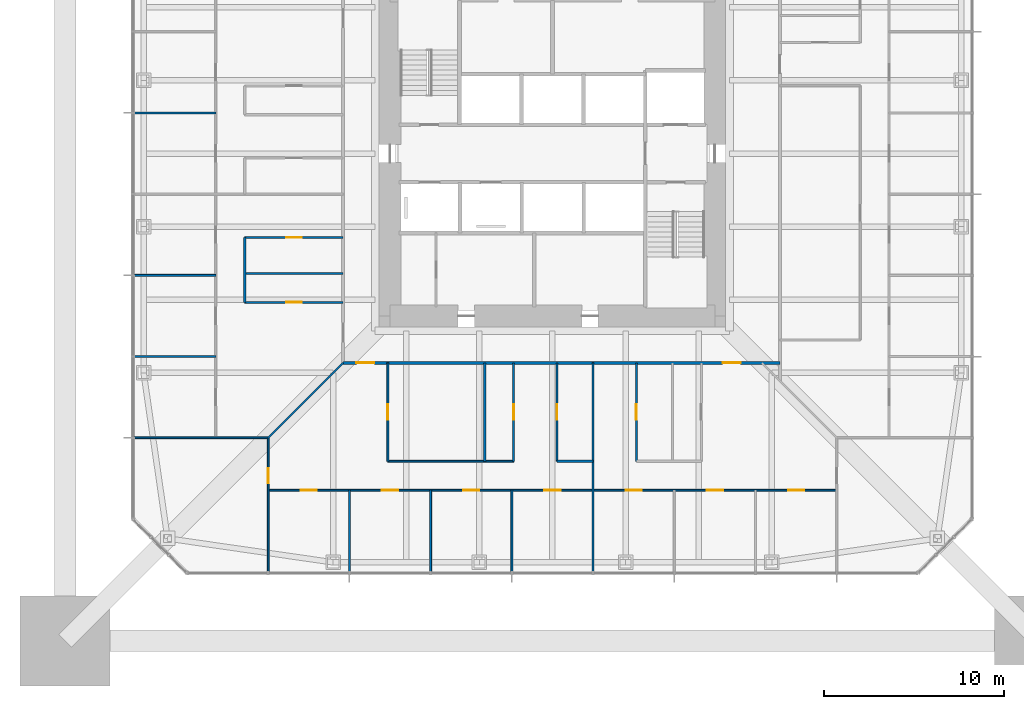
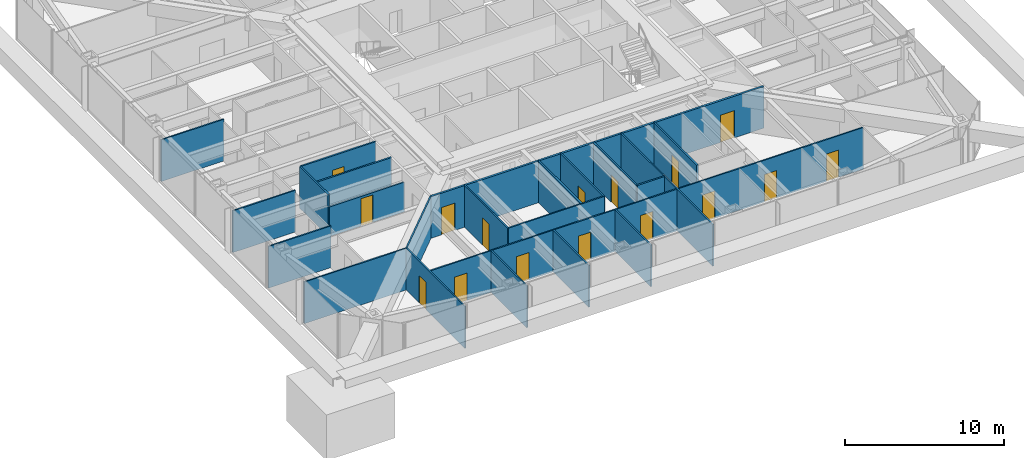
# One storey, part 20 of 32: 23 walls, 16 doors, 16 openings.
"""IFC4 building model written with IfcOpenShell, lengths in metres."""

from ifc_helpers import new_model, si_unit, direction, frame, frame_2d, origin, place, context, subcontext, project, spatial, rectangle, extrude, material, layer, layer_set, type_object, element, fill, save


model = new_model("IFC4")

# Units and contexts
model_context = context("Model", 3, precision=1e-05, world=origin(), true_north=direction((0.0, 1.0)))
body_context = subcontext(model_context, "Body", "Model", "MODEL_VIEW")
ifc_project = project(units=[si_unit("LENGTHUNIT", "METRE"), si_unit("AREAUNIT", "SQUARE_METRE"), si_unit("VOLUMEUNIT", "CUBIC_METRE"), si_unit("PLANEANGLEUNIT", "RADIAN"), si_unit("MASSUNIT", "GRAM", prefix="KILO")], contexts=[model_context])

# Site, building, storey
site_placement = place(None, origin())
site = spatial("IfcSite", under=ifc_project, at=site_placement, CompositionType="ELEMENT")
building_placement = place(site_placement, origin())
building = spatial("IfcBuilding", under=site, at=building_placement, Name="Iwan Alto Co-Living Towers", CompositionType="ELEMENT")
storey_placement = place(building_placement, frame((0.0, 0.0, 71.0)))
storey = spatial("IfcBuildingStorey", under=building, at=storey_placement, Name="L19", CompositionType="ELEMENT", Elevation=71.0)

# Wall, openings, doors
ifc_material_1 = material(Name="Gypsum board")
ifc_layer_1 = layer(ifc_material_1, 0.02490234375, Name="Board", Category="Finish")
ifc_material_2 = material(Name="Steel ASTM A1003 ST33H cold-formed studs", Category="steel")
ifc_layer_2 = layer(ifc_material_2, 0.10009765625, Name="Studs", Category="Framing")
ifc_layer_3 = layer(ifc_material_1, 0.02490234375, Name="Board", Category="Finish")
ifc_layer_set_1 = layer_set([ifc_layer_1, ifc_layer_2, ifc_layer_3], Name="CORRIDOR WALL 150")
wall_type_1 = type_object("IfcWallType", Name="CORRIDOR WALL 150", PredefinedType="PARTITIONING", material=ifc_layer_set_1)
wall_1_placement = place(storey_placement, frame((-11.60009765625, -11.60009765625, 0.0), z_axis=(0.0, 0.0, 1.0), x_axis=(1.0, 0.0, 0.0)))
wall_1 = element("IfcWall", 1, at=wall_1_placement, inside=storey, type_object=wall_type_1, Name="Partition L19", PredefinedType="PARTITIONING", context=body_context, shape_type="SweptSolid", body=[
    extrude(rectangle(XDim=24.2001953125, YDim=0.14990234375, at=frame_2d((12.10009765625, 0.0))), origin(), (0.0, 0.0, 1.0), 3.199951171875),
])
opening_1_placement = place(wall_1_placement, frame((0.739990234375, 0.0, 0.0)))
opening_1 = element("IfcOpeningElement", 2, at=opening_1_placement, cuts=wall_1, Name="Opening D3", PredefinedType="OPENING", context=body_context, shape_type="SweptSolid", body=[
    extrude(rectangle(XDim=1.0, YDim=2.10009765625, at=frame_2d((0.5, 1.050048828125))), frame((0.0, 0.0849609375, 0.0), z_axis=(0.0, -1.0, 0.0), x_axis=(1.0, 0.0, 0.0)), (0.0, 0.0, 1.0), 0.169921875),
])
opening_2_placement = place(wall_1_placement, frame((21.02490234375, 0.0, 0.0)))
opening_2 = element("IfcOpeningElement", 3, at=opening_2_placement, cuts=wall_1, Name="Opening D3", PredefinedType="OPENING", context=body_context, shape_type="SweptSolid", body=[
    extrude(rectangle(XDim=1.0, YDim=2.10009765625, at=frame_2d((0.5, 1.050048828125))), frame((0.0, 0.0849609375, 0.0), z_axis=(0.0, -1.0, 0.0), x_axis=(1.0, 0.0, 0.0)), (0.0, 0.0, 1.0), 0.169921875),
])
ifc_material_3 = material(Name="Steel frame with timber leaf", Category="steel")
door_type_1 = type_object("IfcDoorType", Name="FLAT ENTRANCE DOOR FD30S 1000X2100", OperationType="SINGLE_SWING_LEFT", PredefinedType="DOOR", material=ifc_material_3)
door_1_placement = place(opening_1_placement, frame((1.0, 0.0, 0.0), z_axis=(0.0, 0.0, 1.0), x_axis=(-1.0, 0.0, 0.0)))
door_1 = element("IfcDoor", 4, at=door_1_placement, inside=storey, type_object=door_type_1, Name="Cluster lounge door L19", OperationType="SINGLE_SWING_LEFT", OverallHeight=2.10009765625, OverallWidth=1.0, PredefinedType="DOOR", context=body_context, shape_type="SweptSolid", body=[
    extrude(rectangle(XDim=1.0, YDim=2.10009765625, at=frame_2d((0.5, 1.050048828125))), frame((0.0, 0.02490234375, 0.0), z_axis=(0.0, -1.0, 0.0), x_axis=(1.0, 0.0, 0.0)), (0.0, 0.0, 1.0), 0.050048828125),
])
fill(opening_1, door_1)
door_2_placement = place(opening_2_placement, frame((1.0, 0.0, 0.0), z_axis=(0.0, 0.0, 1.0), x_axis=(-1.0, 0.0, 0.0)))
door_2 = element("IfcDoor", 5, at=door_2_placement, inside=storey, type_object=door_type_1, Name="Cluster lounge door L19", OperationType="SINGLE_SWING_RIGHT", OverallHeight=2.10009765625, OverallWidth=1.0, PredefinedType="DOOR", context=body_context, shape_type="SweptSolid", body=[
    extrude(rectangle(XDim=1.0, YDim=2.10009765625, at=frame_2d((0.5, 1.050048828125))), frame((0.0, 0.02490234375, 0.0), z_axis=(0.0, -1.0, 0.0), x_axis=(1.0, 0.0, 0.0)), (0.0, 0.0, 1.0), 0.050048828125),
])
fill(opening_2, door_2)

ifc_layer_4 = layer(ifc_material_1, 0.012451171875, Name="Board", Category="Finish")
ifc_layer_5 = layer(ifc_material_2, 0.074951171875, Name="Studs", Category="Framing")
ifc_layer_6 = layer(ifc_material_1, 0.012451171875, Name="Board", Category="Finish")
ifc_layer_set_2 = layer_set([ifc_layer_4, ifc_layer_5, ifc_layer_6], Name="PARTITION 100")
wall_type_2 = type_object("IfcWallType", Name="PARTITION 100", PredefinedType="PARTITIONING", material=ifc_layer_set_2)
wall_2_placement = place(storey_placement, frame((-15.75, -18.64990234375, 0.0), z_axis=(0.0, 0.0, 1.0), x_axis=(1.0, 0.0, 0.0)))
wall_2 = element("IfcWall", 6, at=wall_2_placement, inside=storey, type_object=wall_type_2, Name="Partition L19", PredefinedType="PARTITIONING", context=body_context, shape_type="SweptSolid", body=[
    extrude(rectangle(XDim=31.5, YDim=0.10009765625, at=frame_2d((15.75, 0.0))), origin(), (0.0, 0.0, 1.0), 3.199951171875),
])
opening_3_placement = place(wall_2_placement, frame((1.800048828125, 0.0, 0.0)))
opening_3 = element("IfcOpeningElement", 7, at=opening_3_placement, cuts=wall_2, Name="Opening D1", PredefinedType="OPENING", context=body_context, shape_type="SweptSolid", body=[
    extrude(rectangle(XDim=0.89990234375, YDim=2.10009765625, at=frame_2d((0.449951171875, 1.050048828125))), frame((0.0, 0.06005859375, 0.0), z_axis=(0.0, -1.0, 0.0), x_axis=(1.0, 0.0, 0.0)), (0.0, 0.0, 1.0), 0.1201171875),
])
opening_4_placement = place(wall_2_placement, frame((6.300048828125, 0.0, 0.0)))
opening_4 = element("IfcOpeningElement", 8, at=opening_4_placement, cuts=wall_2, Name="Opening D1", PredefinedType="OPENING", context=body_context, shape_type="SweptSolid", body=[
    extrude(rectangle(XDim=0.89990234375, YDim=2.10009765625, at=frame_2d((0.449951171875, 1.050048828125))), frame((0.0, 0.06005859375, 0.0), z_axis=(0.0, -1.0, 0.0), x_axis=(1.0, 0.0, 0.0)), (0.0, 0.0, 1.0), 0.1201171875),
])
opening_5_placement = place(wall_2_placement, frame((10.800048828125, 0.0, 0.0)))
opening_5 = element("IfcOpeningElement", 9, at=opening_5_placement, cuts=wall_2, Name="Opening D1", PredefinedType="OPENING", context=body_context, shape_type="SweptSolid", body=[
    extrude(rectangle(XDim=0.89990234375, YDim=2.10009765625, at=frame_2d((0.449951171875, 1.050048828125))), frame((0.0, 0.06005859375, 0.0), z_axis=(0.0, -1.0, 0.0), x_axis=(1.0, 0.0, 0.0)), (0.0, 0.0, 1.0), 0.1201171875),
])
opening_6_placement = place(wall_2_placement, frame((15.300048828125, 0.0, 0.0)))
opening_6 = element("IfcOpeningElement", 10, at=opening_6_placement, cuts=wall_2, Name="Opening D1", PredefinedType="OPENING", context=body_context, shape_type="SweptSolid", body=[
    extrude(rectangle(XDim=0.89990234375, YDim=2.10009765625, at=frame_2d((0.449951171875, 1.050048828125))), frame((0.0, 0.06005859375, 0.0), z_axis=(0.0, -1.0, 0.0), x_axis=(1.0, 0.0, 0.0)), (0.0, 0.0, 1.0), 0.1201171875),
])
opening_7_placement = place(wall_2_placement, frame((19.800048828125, 0.0, 0.0)))
opening_7 = element("IfcOpeningElement", 11, at=opening_7_placement, cuts=wall_2, Name="Opening D1", PredefinedType="OPENING", context=body_context, shape_type="SweptSolid", body=[
    extrude(rectangle(XDim=0.89990234375, YDim=2.10009765625, at=frame_2d((0.449951171875, 1.050048828125))), frame((0.0, 0.06005859375, 0.0), z_axis=(0.0, -1.0, 0.0), x_axis=(1.0, 0.0, 0.0)), (0.0, 0.0, 1.0), 0.1201171875),
])
opening_8_placement = place(wall_2_placement, frame((24.300048828125, 0.0, 0.0)))
opening_8 = element("IfcOpeningElement", 12, at=opening_8_placement, cuts=wall_2, Name="Opening D1", PredefinedType="OPENING", context=body_context, shape_type="SweptSolid", body=[
    extrude(rectangle(XDim=0.89990234375, YDim=2.10009765625, at=frame_2d((0.449951171875, 1.050048828125))), frame((0.0, 0.06005859375, 0.0), z_axis=(0.0, -1.0, 0.0), x_axis=(1.0, 0.0, 0.0)), (0.0, 0.0, 1.0), 0.1201171875),
])
opening_9_placement = place(wall_2_placement, frame((28.800048828125, 0.0, 0.0)))
opening_9 = element("IfcOpeningElement", 13, at=opening_9_placement, cuts=wall_2, Name="Opening D1", PredefinedType="OPENING", context=body_context, shape_type="SweptSolid", body=[
    extrude(rectangle(XDim=0.89990234375, YDim=2.10009765625, at=frame_2d((0.449951171875, 1.050048828125))), frame((0.0, 0.06005859375, 0.0), z_axis=(0.0, -1.0, 0.0), x_axis=(1.0, 0.0, 0.0)), (0.0, 0.0, 1.0), 0.1201171875),
])
ifc_material_4 = material(Name="Timber leaf in steel frame", Category="steel")
door_type_2 = type_object("IfcDoorType", Name="BEDROOM DOOR 900X2100", OperationType="SINGLE_SWING_LEFT", PredefinedType="DOOR", material=ifc_material_4)
door_3_placement = place(opening_3_placement, origin())
door_3 = element("IfcDoor", 14, at=door_3_placement, inside=storey, type_object=door_type_2, Name="Study bedroom door L19", OperationType="SINGLE_SWING_LEFT", OverallHeight=2.10009765625, OverallWidth=0.89990234375, PredefinedType="DOOR", context=body_context, shape_type="SweptSolid", body=[
    extrude(rectangle(XDim=0.89990234375, YDim=2.10009765625, at=frame_2d((0.449951171875, 1.050048828125))), frame((0.0, 0.02490234375, 0.0), z_axis=(0.0, -1.0, 0.0), x_axis=(1.0, 0.0, 0.0)), (0.0, 0.0, 1.0), 0.050048828125),
])
fill(opening_3, door_3)
door_4_placement = place(opening_4_placement, origin())
door_4 = element("IfcDoor", 15, at=door_4_placement, inside=storey, type_object=door_type_2, Name="Study bedroom door L19", OperationType="SINGLE_SWING_LEFT", OverallHeight=2.10009765625, OverallWidth=0.89990234375, PredefinedType="DOOR", context=body_context, shape_type="SweptSolid", body=[
    extrude(rectangle(XDim=0.89990234375, YDim=2.10009765625, at=frame_2d((0.449951171875, 1.050048828125))), frame((0.0, 0.02490234375, 0.0), z_axis=(0.0, -1.0, 0.0), x_axis=(1.0, 0.0, 0.0)), (0.0, 0.0, 1.0), 0.050048828125),
])
fill(opening_4, door_4)
door_5_placement = place(opening_5_placement, origin())
door_5 = element("IfcDoor", 16, at=door_5_placement, inside=storey, type_object=door_type_2, Name="Study bedroom door L19", OperationType="SINGLE_SWING_RIGHT", OverallHeight=2.10009765625, OverallWidth=0.89990234375, PredefinedType="DOOR", context=body_context, shape_type="SweptSolid", body=[
    extrude(rectangle(XDim=0.89990234375, YDim=2.10009765625, at=frame_2d((0.449951171875, 1.050048828125))), frame((0.0, 0.02490234375, 0.0), z_axis=(0.0, -1.0, 0.0), x_axis=(1.0, 0.0, 0.0)), (0.0, 0.0, 1.0), 0.050048828125),
])
fill(opening_5, door_5)
door_6_placement = place(opening_6_placement, origin())
door_6 = element("IfcDoor", 17, at=door_6_placement, inside=storey, type_object=door_type_2, Name="Study bedroom door L19", OperationType="SINGLE_SWING_RIGHT", OverallHeight=2.10009765625, OverallWidth=0.89990234375, PredefinedType="DOOR", context=body_context, shape_type="SweptSolid", body=[
    extrude(rectangle(XDim=0.89990234375, YDim=2.10009765625, at=frame_2d((0.449951171875, 1.050048828125))), frame((0.0, 0.02490234375, 0.0), z_axis=(0.0, -1.0, 0.0), x_axis=(1.0, 0.0, 0.0)), (0.0, 0.0, 1.0), 0.050048828125),
])
fill(opening_6, door_6)
door_7_placement = place(opening_7_placement, origin())
door_7 = element("IfcDoor", 18, at=door_7_placement, inside=storey, type_object=door_type_2, Name="Study bedroom door L19", OperationType="SINGLE_SWING_LEFT", OverallHeight=2.10009765625, OverallWidth=0.89990234375, PredefinedType="DOOR", context=body_context, shape_type="SweptSolid", body=[
    extrude(rectangle(XDim=0.89990234375, YDim=2.10009765625, at=frame_2d((0.449951171875, 1.050048828125))), frame((0.0, 0.02490234375, 0.0), z_axis=(0.0, -1.0, 0.0), x_axis=(1.0, 0.0, 0.0)), (0.0, 0.0, 1.0), 0.050048828125),
])
fill(opening_7, door_7)
door_8_placement = place(opening_8_placement, origin())
door_8 = element("IfcDoor", 19, at=door_8_placement, inside=storey, type_object=door_type_2, Name="Study bedroom door L19", OperationType="SINGLE_SWING_LEFT", OverallHeight=2.10009765625, OverallWidth=0.89990234375, PredefinedType="DOOR", context=body_context, shape_type="SweptSolid", body=[
    extrude(rectangle(XDim=0.89990234375, YDim=2.10009765625, at=frame_2d((0.449951171875, 1.050048828125))), frame((0.0, 0.02490234375, 0.0), z_axis=(0.0, -1.0, 0.0), x_axis=(1.0, 0.0, 0.0)), (0.0, 0.0, 1.0), 0.050048828125),
])
fill(opening_8, door_8)
door_9_placement = place(opening_9_placement, origin())
door_9 = element("IfcDoor", 20, at=door_9_placement, inside=storey, type_object=door_type_2, Name="Study bedroom door L19", OperationType="SINGLE_SWING_RIGHT", OverallHeight=2.10009765625, OverallWidth=0.89990234375, PredefinedType="DOOR", context=body_context, shape_type="SweptSolid", body=[
    extrude(rectangle(XDim=0.89990234375, YDim=2.10009765625, at=frame_2d((0.449951171875, 1.050048828125))), frame((0.0, 0.02490234375, 0.0), z_axis=(0.0, -1.0, 0.0), x_axis=(1.0, 0.0, 0.0)), (0.0, 0.0, 1.0), 0.050048828125),
])
fill(opening_9, door_9)

# Walls
wall_3_placement = place(storey_placement, frame((-9.1201171875, -17.050048828125, 0.0), z_axis=(0.0, 0.0, 1.0), x_axis=(1.0, 0.0, 0.0)))
element("IfcWall", 21, at=wall_3_placement, inside=storey, type_object=wall_type_2, Name="Partition L19", PredefinedType="PARTITIONING", context=body_context, shape_type="SweptSolid", body=[
    extrude(rectangle(XDim=6.97021484375, YDim=0.10009765625, at=frame_2d((3.485107421875, 0.0))), origin(), (0.0, 0.0, 1.0), 3.199951171875),
])
wall_4_placement = place(storey_placement, frame((-23.18994140625, -15.75, 0.0), z_axis=(0.0, 0.0, 1.0), x_axis=(1.0, 0.0, 0.0)))
element("IfcWall", 22, at=wall_4_placement, inside=storey, type_object=wall_type_2, Name="Partition L19", PredefinedType="PARTITIONING", context=body_context, shape_type="SweptSolid", body=[
    extrude(rectangle(XDim=7.43994140625, YDim=0.10009765625, at=frame_2d((3.719970703125, 0.0))), origin(), (0.0, 0.0, 1.0), 3.199951171875),
])
for number, where, z_axis, x_axis, name in (
    (23, (-23.18994140625, -11.25, 0.0), (0.0, 0.0, 1.0), (1.0, 0.0, 0.0), "Partition L19"),
    (24, (-23.18994140625, -6.75, 0.0), (0.0, 0.0, 1.0), (1.0, 0.0, 0.0), "Partition L19"),
    (25, (-23.18994140625, 2.25, 0.0), (0.0, 0.0, 1.0), (1.0, 0.0, 0.0), "Partition L19"),
):
    element("IfcWall", number, at=place(storey_placement, frame(where, z_axis=z_axis, x_axis=x_axis)), inside=storey, type_object=wall_type_2, Name=name, PredefinedType="PARTITIONING", context=body_context, shape_type="SweptSolid", body=[
        extrude(rectangle(XDim=4.5400390625, YDim=0.10009765625, at=frame_2d((2.27001953125, 0.0))), origin(), (0.0, 0.0, 1.0), 3.199951171875),
    ])
wall_5_placement = place(storey_placement, frame((-15.75, -15.75, 0.0), z_axis=(0.0, 0.0, 1.0), x_axis=(0.707106781187, 0.707106781187, 0.0)))
element("IfcWall", 26, at=wall_5_placement, inside=storey, type_object=wall_type_2, Name="Partition L19", PredefinedType="PARTITIONING", context=body_context, shape_type="SweptSolid", body=[
    extrude(rectangle(XDim=5.868896484375, YDim=0.10009765625, at=frame_2d((2.9345703125, 0.0))), origin(), (0.0, 0.0, 1.0), 3.199951171875),
])
wall_6_placement = place(storey_placement, frame((2.25, -23.18994140625, 0.0), z_axis=(0.0, 0.0, 1.0), x_axis=(0.0, 1.0, 0.0)))
element("IfcWall", 27, at=wall_6_placement, inside=storey, type_object=wall_type_2, Name="Partition L19", PredefinedType="PARTITIONING", context=body_context, shape_type="SweptSolid", body=[
    extrude(rectangle(XDim=11.58984375, YDim=0.10009765625, at=frame_2d((5.794921875, 0.0))), origin(), (0.0, 0.0, 1.0), 3.199951171875),
])
for number, where, z_axis, x_axis, name in (
    (28, (-2.25, -23.18994140625, 0.0), (0.0, 0.0, 1.0), (0.0, 1.0, 0.0), "Partition L19"),
    (29, (-6.75, -23.18994140625, 0.0), (0.0, 0.0, 1.0), (0.0, 1.0, 0.0), "Partition L19"),
):
    element("IfcWall", number, at=place(storey_placement, frame(where, z_axis=z_axis, x_axis=x_axis)), inside=storey, type_object=wall_type_2, Name=name, PredefinedType="PARTITIONING", context=body_context, shape_type="SweptSolid", body=[
        extrude(rectangle(XDim=4.5400390625, YDim=0.10009765625, at=frame_2d((2.27001953125, 0.0))), origin(), (0.0, 0.0, 1.0), 3.199951171875),
    ])

# Wall, opening, door
wall_7_placement = place(storey_placement, frame((-9.1201171875, -17.050048828125, 0.0), z_axis=(0.0, 0.0, 1.0), x_axis=(0.0, 1.0, 0.0)))
wall_7 = element("IfcWall", 30, at=wall_7_placement, inside=storey, type_object=wall_type_2, Name="Partition L19", PredefinedType="PARTITIONING", context=body_context, shape_type="SweptSolid", body=[
    extrude(rectangle(XDim=5.449951171875, YDim=0.10009765625, at=frame_2d((2.72509765625, 0.0))), origin(), (0.0, 0.0, 1.0), 3.199951171875),
])
opening_10_placement = place(wall_7_placement, frame((2.300048828125, 0.0, 0.0)))
opening_10 = element("IfcOpeningElement", 31, at=opening_10_placement, cuts=wall_7, Name="Opening D2", PredefinedType="OPENING", context=body_context, shape_type="SweptSolid", body=[
    extrude(rectangle(XDim=0.85009765625, YDim=2.10009765625, at=frame_2d((0.425048828125, 1.050048828125))), frame((0.0, 0.06005859375, 0.0), z_axis=(0.0, -1.0, 0.0), x_axis=(1.0, 0.0, 0.0)), (0.0, 0.0, 1.0), 0.1201171875),
])
ifc_material_5 = material(Name="Timber leaf in steel frame", Category="steel")
door_type_3 = type_object("IfcDoorType", Name="ROOM DOOR 850X2100", OperationType="SINGLE_SWING_LEFT", PredefinedType="DOOR", material=ifc_material_5)
door_10_placement = place(opening_10_placement, origin())
door_10 = element("IfcDoor", 32, at=door_10_placement, inside=storey, type_object=door_type_3, Name="Study room door L19", OperationType="SINGLE_SWING_RIGHT", OverallHeight=2.10009765625, OverallWidth=0.85009765625, PredefinedType="DOOR", context=body_context, shape_type="SweptSolid", body=[
    extrude(rectangle(XDim=0.85009765625, YDim=2.10009765625, at=frame_2d((0.425048828125, 1.050048828125))), frame((0.0, 0.02490234375, 0.0), z_axis=(0.0, -1.0, 0.0), x_axis=(1.0, 0.0, 0.0)), (0.0, 0.0, 1.0), 0.050048828125),
])
fill(opening_10, door_10)

# Wall
wall_8_placement = place(storey_placement, frame((-11.25, -23.18994140625, 0.0), z_axis=(0.0, 0.0, 1.0), x_axis=(0.0, 1.0, 0.0)))
element("IfcWall", 33, at=wall_8_placement, inside=storey, type_object=wall_type_2, Name="Partition L19", PredefinedType="PARTITIONING", context=body_context, shape_type="SweptSolid", body=[
    extrude(rectangle(XDim=4.5400390625, YDim=0.10009765625, at=frame_2d((2.27001953125, 0.0))), origin(), (0.0, 0.0, 1.0), 3.199951171875),
])

# Wall, opening, door
wall_9_placement = place(storey_placement, frame((-15.75, -23.18994140625, 0.0), z_axis=(0.0, 0.0, 1.0), x_axis=(0.0, 1.0, 0.0)))
wall_9 = element("IfcWall", 34, at=wall_9_placement, inside=storey, type_object=wall_type_2, Name="Partition L19", PredefinedType="PARTITIONING", context=body_context, shape_type="SweptSolid", body=[
    extrude(rectangle(XDim=7.43994140625, YDim=0.10009765625, at=frame_2d((3.719970703125, 0.0))), origin(), (0.0, 0.0, 1.0), 3.199951171875),
])
opening_11_placement = place(wall_9_placement, frame((4.9150390625, 0.0, 0.0)))
opening_11 = element("IfcOpeningElement", 35, at=opening_11_placement, cuts=wall_9, Name="Opening D2", PredefinedType="OPENING", context=body_context, shape_type="SweptSolid", body=[
    extrude(rectangle(XDim=0.85009765625, YDim=2.10009765625, at=frame_2d((0.425048828125, 1.050048828125))), frame((0.0, 0.06005859375, 0.0), z_axis=(0.0, -1.0, 0.0), x_axis=(1.0, 0.0, 0.0)), (0.0, 0.0, 1.0), 0.1201171875),
])
door_11_placement = place(opening_11_placement, frame((0.85009765625, 0.0, 0.0), z_axis=(0.0, 0.0, 1.0), x_axis=(-1.0, 0.0, 0.0)))
door_11 = element("IfcDoor", 36, at=door_11_placement, inside=storey, type_object=door_type_3, Name="Shared kitchen and dining room door L19", OperationType="SINGLE_SWING_RIGHT", OverallHeight=2.10009765625, OverallWidth=0.85009765625, PredefinedType="DOOR", context=body_context, shape_type="SweptSolid", body=[
    extrude(rectangle(XDim=0.85009765625, YDim=2.10009765625, at=frame_2d((0.425048828125, 1.050048828125))), frame((0.0, 0.02490234375, 0.0), z_axis=(0.0, -1.0, 0.0), x_axis=(1.0, 0.0, 0.0)), (0.0, 0.0, 1.0), 0.050048828125),
])
fill(opening_11, door_11)

# Wall
ifc_material_6 = material(Name="Cement board")
ifc_layer_7 = layer(ifc_material_6, 0.012451171875, Name="Board", Category="Finish")
ifc_layer_8 = layer(ifc_material_2, 0.094970703125, Name="Studs", Category="Framing")
ifc_layer_9 = layer(ifc_material_6, 0.012451171875, Name="Board", Category="Finish")
ifc_layer_set_3 = layer_set([ifc_layer_7, ifc_layer_8, ifc_layer_9], Name="WET AREA PARTITION 120")
wall_type_3 = type_object("IfcWallType", Name="WET AREA PARTITION 120", PredefinedType="PARTITIONING", material=ifc_layer_set_3)
wall_10_placement = place(storey_placement, frame((0.25, -17.050048828125, 0.0), z_axis=(0.0, 0.0, 1.0), x_axis=(1.0, 0.0, 0.0)))
element("IfcWall", 37, at=wall_10_placement, inside=storey, type_object=wall_type_3, Name="Partition L19", PredefinedType="PARTITIONING", context=body_context, shape_type="SweptSolid", body=[
    extrude(rectangle(XDim=2.0, YDim=0.1201171875, at=frame_2d((1.0, 0.0))), origin(), (0.0, 0.0, 1.0), 3.199951171875),
])

# Wall, opening, door
wall_11_placement = place(storey_placement, frame((-17.050048828125, -8.25, 0.0), z_axis=(0.0, 0.0, 1.0), x_axis=(1.0, 0.0, 0.0)))
wall_11 = element("IfcWall", 38, at=wall_11_placement, inside=storey, type_object=wall_type_3, Name="Partition L19", PredefinedType="PARTITIONING", context=body_context, shape_type="SweptSolid", body=[
    extrude(rectangle(XDim=5.449951171875, YDim=0.1201171875, at=frame_2d((2.72509765625, 0.0))), origin(), (0.0, 0.0, 1.0), 2.27294921875),
])
opening_12_placement = place(wall_11_placement, frame((2.300048828125, 0.0, 0.0)))
opening_12 = element("IfcOpeningElement", 39, at=opening_12_placement, cuts=wall_11, Name="Opening D2", PredefinedType="OPENING", context=body_context, shape_type="SweptSolid", body=[
    extrude(rectangle(XDim=0.85009765625, YDim=2.10009765625, at=frame_2d((0.425048828125, 1.050048828125))), frame((0.0, 0.070068359375, 0.0), z_axis=(0.0, -1.0, 0.0), x_axis=(1.0, 0.0, 0.0)), (0.0, 0.0, 1.0), 0.14013671875),
])
door_12_placement = place(opening_12_placement, frame((0.85009765625, 0.0, 0.0), z_axis=(0.0, 0.0, 1.0), x_axis=(-1.0, 0.0, 0.0)))
door_12 = element("IfcDoor", 40, at=door_12_placement, inside=storey, type_object=door_type_3, Name="Accessible bathroom door L19", OperationType="SINGLE_SWING_LEFT", OverallHeight=2.10009765625, OverallWidth=0.85009765625, PredefinedType="DOOR", context=body_context, shape_type="SweptSolid", body=[
    extrude(rectangle(XDim=0.85009765625, YDim=2.10009765625, at=frame_2d((0.425048828125, 1.050048828125))), frame((0.0, 0.02490234375, 0.0), z_axis=(0.0, -1.0, 0.0), x_axis=(1.0, 0.0, 0.0)), (0.0, 0.0, 1.0), 0.050048828125),
])
fill(opening_12, door_12)

# Wall
wall_12_placement = place(storey_placement, frame((-17.050048828125, -6.64990234375, 0.0), z_axis=(0.0, 0.0, 1.0), x_axis=(1.0, 0.0, 0.0)))
element("IfcWall", 41, at=wall_12_placement, inside=storey, type_object=wall_type_3, Name="Partition L19", PredefinedType="PARTITIONING", context=body_context, shape_type="SweptSolid", body=[
    extrude(rectangle(XDim=5.449951171875, YDim=0.1201171875, at=frame_2d((2.72509765625, 0.0))), origin(), (0.0, 0.0, 1.0), 3.199951171875),
])

# Wall, opening, door
wall_13_placement = place(storey_placement, frame((-17.050048828125, -4.64990234375, 0.0), z_axis=(0.0, 0.0, 1.0), x_axis=(1.0, 0.0, 0.0)))
wall_13 = element("IfcWall", 42, at=wall_13_placement, inside=storey, type_object=wall_type_3, Name="Partition L19", PredefinedType="PARTITIONING", context=body_context, shape_type="SweptSolid", body=[
    extrude(rectangle(XDim=5.449951171875, YDim=0.1201171875, at=frame_2d((2.72509765625, 0.0))), origin(), (0.0, 0.0, 1.0), 3.199951171875),
])
opening_13_placement = place(wall_13_placement, frame((2.300048828125, 0.0, 0.0)))
opening_13 = element("IfcOpeningElement", 43, at=opening_13_placement, cuts=wall_13, Name="Opening D2", PredefinedType="OPENING", context=body_context, shape_type="SweptSolid", body=[
    extrude(rectangle(XDim=0.85009765625, YDim=2.10009765625, at=frame_2d((0.425048828125, 1.050048828125))), frame((0.0, 0.070068359375, 0.0), z_axis=(0.0, -1.0, 0.0), x_axis=(1.0, 0.0, 0.0)), (0.0, 0.0, 1.0), 0.14013671875),
])
door_13_placement = place(opening_13_placement, origin())
door_13 = element("IfcDoor", 44, at=door_13_placement, inside=storey, type_object=door_type_3, Name="Laundry door L19", OperationType="SINGLE_SWING_RIGHT", OverallHeight=2.10009765625, OverallWidth=0.85009765625, PredefinedType="DOOR", context=body_context, shape_type="SweptSolid", body=[
    extrude(rectangle(XDim=0.85009765625, YDim=2.10009765625, at=frame_2d((0.425048828125, 1.050048828125))), frame((0.0, 0.02490234375, 0.0), z_axis=(0.0, -1.0, 0.0), x_axis=(1.0, 0.0, 0.0)), (0.0, 0.0, 1.0), 0.050048828125),
])
fill(opening_13, door_13)

wall_14_placement = place(storey_placement, frame((4.64990234375, -17.050048828125, 0.0), z_axis=(0.0, 0.0, 1.0), x_axis=(0.0, 1.0, 0.0)))
wall_14 = element("IfcWall", 45, at=wall_14_placement, inside=storey, type_object=wall_type_3, Name="Partition L19", PredefinedType="PARTITIONING", context=body_context, shape_type="SweptSolid", body=[
    extrude(rectangle(XDim=5.449951171875, YDim=0.1201171875, at=frame_2d((2.72509765625, 0.0))), origin(), (0.0, 0.0, 1.0), 3.199951171875),
])
opening_14_placement = place(wall_14_placement, frame((2.300048828125, 0.0, 0.0)))
opening_14 = element("IfcOpeningElement", 46, at=opening_14_placement, cuts=wall_14, Name="Opening D2", PredefinedType="OPENING", context=body_context, shape_type="SweptSolid", body=[
    extrude(rectangle(XDim=0.85009765625, YDim=2.10009765625, at=frame_2d((0.425048828125, 1.050048828125))), frame((0.0, 0.070068359375, 0.0), z_axis=(0.0, -1.0, 0.0), x_axis=(1.0, 0.0, 0.0)), (0.0, 0.0, 1.0), 0.14013671875),
])
door_14_placement = place(opening_14_placement, origin())
door_14 = element("IfcDoor", 47, at=door_14_placement, inside=storey, type_object=door_type_3, Name="Laundry door L19", OperationType="SINGLE_SWING_RIGHT", OverallHeight=2.10009765625, OverallWidth=0.85009765625, PredefinedType="DOOR", context=body_context, shape_type="SweptSolid", body=[
    extrude(rectangle(XDim=0.85009765625, YDim=2.10009765625, at=frame_2d((0.425048828125, 1.050048828125))), frame((0.0, 0.02490234375, 0.0), z_axis=(0.0, -1.0, 0.0), x_axis=(1.0, 0.0, 0.0)), (0.0, 0.0, 1.0), 0.050048828125),
])
fill(opening_14, door_14)

wall_15_placement = place(storey_placement, frame((0.25, -17.050048828125, 0.0), z_axis=(0.0, 0.0, 1.0), x_axis=(0.0, 1.0, 0.0)))
wall_15 = element("IfcWall", 48, at=wall_15_placement, inside=storey, type_object=wall_type_3, Name="Partition L19", PredefinedType="PARTITIONING", context=body_context, shape_type="SweptSolid", body=[
    extrude(rectangle(XDim=5.449951171875, YDim=0.1201171875, at=frame_2d((2.72509765625, 0.0))), origin(), (0.0, 0.0, 1.0), 3.199951171875),
])
opening_15_placement = place(wall_15_placement, frame((2.300048828125, 0.0, 0.0)))
opening_15 = element("IfcOpeningElement", 49, at=opening_15_placement, cuts=wall_15, Name="Opening D2", PredefinedType="OPENING", context=body_context, shape_type="SweptSolid", body=[
    extrude(rectangle(XDim=0.85009765625, YDim=2.10009765625, at=frame_2d((0.425048828125, 1.050048828125))), frame((0.0, 0.070068359375, 0.0), z_axis=(0.0, -1.0, 0.0), x_axis=(1.0, 0.0, 0.0)), (0.0, 0.0, 1.0), 0.14013671875),
])
door_15_placement = place(opening_15_placement, origin())
door_15 = element("IfcDoor", 50, at=door_15_placement, inside=storey, type_object=door_type_3, Name="Laundry door L19", OperationType="SINGLE_SWING_RIGHT", OverallHeight=2.10009765625, OverallWidth=0.85009765625, PredefinedType="DOOR", context=body_context, shape_type="SweptSolid", body=[
    extrude(rectangle(XDim=0.85009765625, YDim=2.10009765625, at=frame_2d((0.425048828125, 1.050048828125))), frame((0.0, 0.02490234375, 0.0), z_axis=(0.0, -1.0, 0.0), x_axis=(1.0, 0.0, 0.0)), (0.0, 0.0, 1.0), 0.050048828125),
])
fill(opening_15, door_15)

wall_16_placement = place(storey_placement, frame((-2.14990234375, -17.050048828125, 0.0), z_axis=(0.0, 0.0, 1.0), x_axis=(0.0, 1.0, 0.0)))
wall_16 = element("IfcWall", 51, at=wall_16_placement, inside=storey, type_object=wall_type_3, Name="Partition L19", PredefinedType="PARTITIONING", context=body_context, shape_type="SweptSolid", body=[
    extrude(rectangle(XDim=5.449951171875, YDim=0.1201171875, at=frame_2d((2.72509765625, 0.0))), origin(), (0.0, 0.0, 1.0), 3.199951171875),
])
opening_16_placement = place(wall_16_placement, frame((2.300048828125, 0.0, 0.0)))
opening_16 = element("IfcOpeningElement", 52, at=opening_16_placement, cuts=wall_16, Name="Opening D2", PredefinedType="OPENING", context=body_context, shape_type="SweptSolid", body=[
    extrude(rectangle(XDim=0.85009765625, YDim=2.10009765625, at=frame_2d((0.425048828125, 1.050048828125))), frame((0.0, 0.070068359375, 0.0), z_axis=(0.0, -1.0, 0.0), x_axis=(1.0, 0.0, 0.0)), (0.0, 0.0, 1.0), 0.14013671875),
])
door_16_placement = place(opening_16_placement, frame((0.85009765625, 0.0, 0.0), z_axis=(0.0, 0.0, 1.0), x_axis=(-1.0, 0.0, 0.0)))
door_16 = element("IfcDoor", 53, at=door_16_placement, inside=storey, type_object=door_type_3, Name="Accessible bathroom door L19", OperationType="SINGLE_SWING_LEFT", OverallHeight=2.10009765625, OverallWidth=0.85009765625, PredefinedType="DOOR", context=body_context, shape_type="SweptSolid", body=[
    extrude(rectangle(XDim=0.85009765625, YDim=2.10009765625, at=frame_2d((0.425048828125, 1.050048828125))), frame((0.0, 0.02490234375, 0.0), z_axis=(0.0, -1.0, 0.0), x_axis=(1.0, 0.0, 0.0)), (0.0, 0.0, 1.0), 0.050048828125),
])
fill(opening_16, door_16)

# Walls
wall_17_placement = place(storey_placement, frame((-3.75, -17.050048828125, 0.0), z_axis=(0.0, 0.0, 1.0), x_axis=(0.0, 1.0, 0.0)))
element("IfcWall", 54, at=wall_17_placement, inside=storey, type_object=wall_type_3, Name="Partition L19", PredefinedType="PARTITIONING", context=body_context, shape_type="SweptSolid", body=[
    extrude(rectangle(XDim=5.449951171875, YDim=0.1201171875, at=frame_2d((2.72509765625, 0.0))), origin(), (0.0, 0.0, 1.0), 3.199951171875),
])
wall_18_placement = place(storey_placement, frame((-17.050048828125, -8.25, 0.0), z_axis=(0.0, 0.0, 1.0), x_axis=(0.0, 1.0, 0.0)))
element("IfcWall", 55, at=wall_18_placement, inside=storey, type_object=wall_type_3, Name="Partition L19", PredefinedType="PARTITIONING", context=body_context, shape_type="SweptSolid", body=[
    extrude(rectangle(XDim=3.60009765625, YDim=0.1201171875, at=frame_2d((1.800048828125, 0.0))), origin(), (0.0, 0.0, 1.0), 3.199951171875),
])

save(model, "model.ifc")
